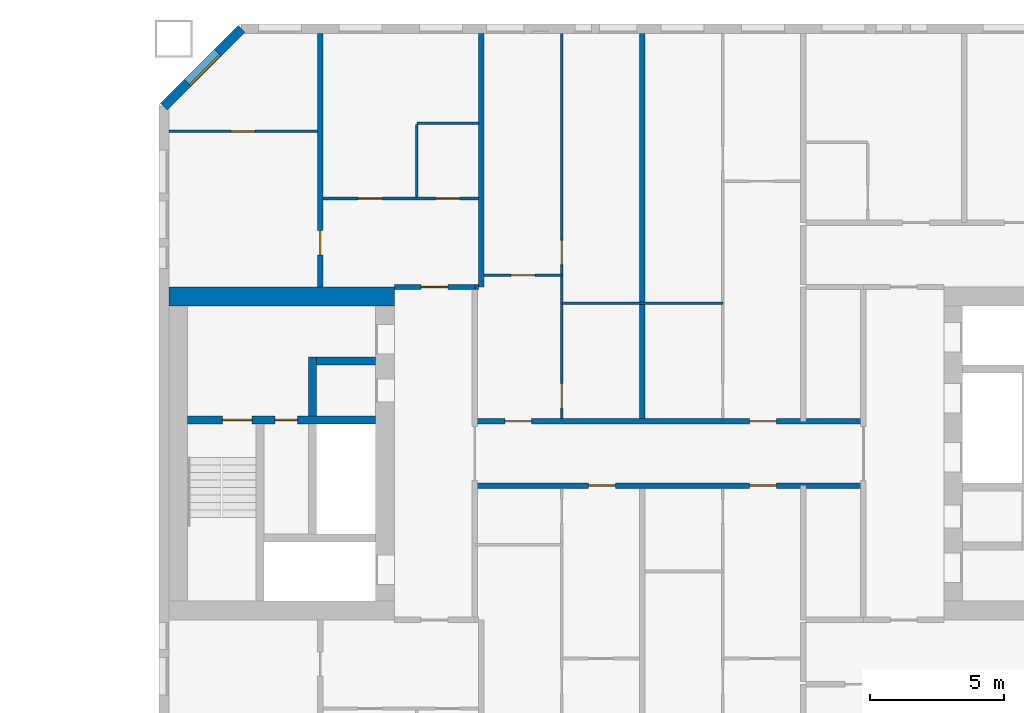
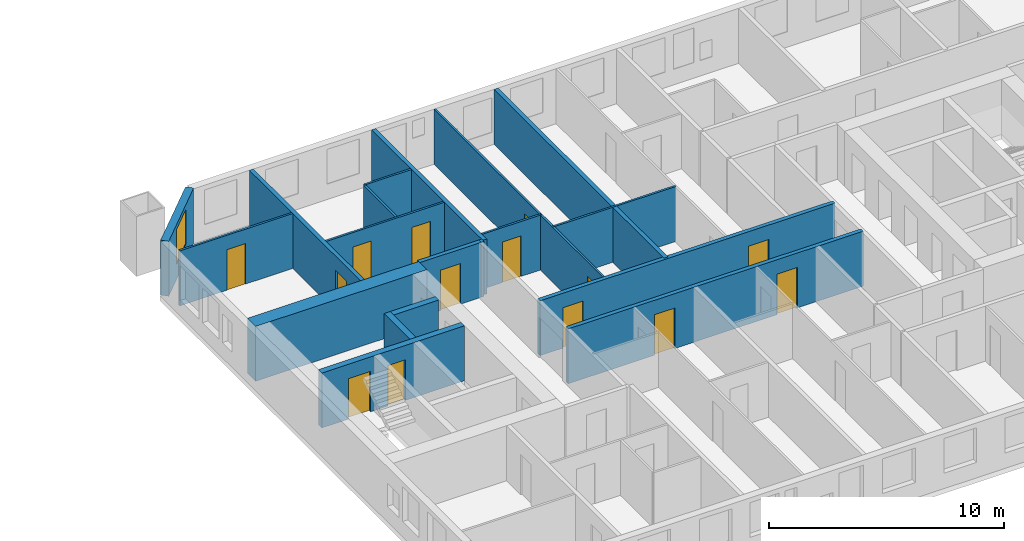
# One storey, part 10 of 17: 19 walls, 14 doors, 1 window, 15 openings.
"""IFC4 building model written with IfcOpenShell, lengths in metres."""

import ifcopenshell
import ifcopenshell.guid

model = None  # the IFC model being written
_history = None  # IfcOwnerHistory: only IFC2X3 demands one
_inside = {}  # id of a spatial element -> (the spatial element, [elements in it])
_under = {}  # id of a project, library or spatial element -> (it, [spatial elements below it])
_declared = {}  # id of a project -> (the project, [libraries it declares])
_typed = {}  # id of a type object -> (the type object, [elements of that type])
_made_of = {}  # id of a material, layer set ... -> (it, [elements and type objects made of it])


def new_model(schema):
    """Start an empty IFC model of exactly this schema.

    Asked for "IFC4X3", IfcOpenShell would pick the latest addendum, in which some entities
    have other attributes; the version numbers below select the first issue.
    IFC2X3 requires an IfcOwnerHistory on every rooted entity: one is made here for all.
    """
    global model, _history
    if schema == "IFC4X3":
        model = ifcopenshell.file(schema_version=(4, 3, 0, 0))
    else:
        model = ifcopenshell.file(schema=schema)
    _inside.clear()
    _under.clear()
    _declared.clear()
    _typed.clear()
    _made_of.clear()
    _history = None
    if model.schema == "IFC2X3":
        org = make("IfcOrganization", Name="unknown")
        user = make(
            "IfcPersonAndOrganization",
            ThePerson=make("IfcPerson", FamilyName="unknown"),
            TheOrganization=org,
        )
        app = make(
            "IfcApplication",
            ApplicationDeveloper=org,
            Version="unknown",
            ApplicationFullName="unknown",
            ApplicationIdentifier="unknown",
        )
        _history = make(
            "IfcOwnerHistory",
            OwningUser=user,
            OwningApplication=app,
            ChangeAction="ADDED",
            CreationDate=0,
        )
    return model


def make(cls, **values):
    """One entity of the class cls with the attributes given. An attribute that is None is left unset."""
    return model.create_entity(
        cls, **{name: value for name, value in values.items() if value is not None}
    )


def rooted(cls, **values):
    """An entity with a GlobalId (a new one), such as an element, a storey or a relation."""
    return make(cls, GlobalId=ifcopenshell.guid.new(), OwnerHistory=_history, **values)


def si_unit(unit_type, name, prefix=None):
    """IfcSIUnit, for example si_unit("LENGTHUNIT", "METRE", prefix="MILLI")."""
    return make("IfcSIUnit", UnitType=unit_type, Prefix=prefix, Name=name)


def assignment(units):
    """IfcUnitAssignment: the units of a project."""
    return None if units is None else make("IfcUnitAssignment", Units=units)


def point(xyz):
    """IfcCartesianPoint."""
    return None if xyz is None else make("IfcCartesianPoint", Coordinates=xyz)


def direction(xyz):
    """IfcDirection."""
    return None if xyz is None else make("IfcDirection", DirectionRatios=xyz)


def frame(location, z_axis=None, x_axis=None):
    """IfcAxis2Placement3D, a coordinate frame: its origin and axes. An axis left out is left unset."""
    return make(
        "IfcAxis2Placement3D",
        Location=point(location),
        Axis=direction(z_axis),
        RefDirection=direction(x_axis),
    )


def frame_2d(location, x_axis=None):
    """IfcAxis2Placement2D, a coordinate frame in the plane: its origin and x axis."""
    return make(
        "IfcAxis2Placement2D", Location=point(location), RefDirection=direction(x_axis)
    )


def origin():
    """The frame at (0, 0, 0) with its axes left unset."""
    return frame((0.0, 0.0, 0.0))


def place(relative_to, where):
    """IfcLocalPlacement: puts the frame where relative to a parent placement (None: the world)."""
    return make(
        "IfcLocalPlacement", PlacementRelTo=relative_to, RelativePlacement=where
    )


def context(
    kind, dimensions, precision=None, world=None, true_north=None, identifier=None
):
    """IfcGeometricRepresentationContext, for example the 3D "Model" context."""
    return make(
        "IfcGeometricRepresentationContext",
        ContextIdentifier=identifier,
        ContextType=kind,
        CoordinateSpaceDimension=dimensions,
        Precision=precision,
        WorldCoordinateSystem=world,
        TrueNorth=true_north,
    )


def subcontext(parent, identifier, kind, view, scale=None):
    """IfcGeometricRepresentationSubContext, for example "Body" below "Model"."""
    return make(
        "IfcGeometricRepresentationSubContext",
        ContextIdentifier=identifier,
        ContextType=kind,
        ParentContext=parent,
        TargetScale=scale,
        TargetView=view,
    )


def project(units=None, contexts=None):
    """IfcProject with its units and contexts."""
    return rooted(
        "IfcProject",
        Name="project",
        RepresentationContexts=contexts,
        UnitsInContext=assignment(units),
    )


def spatial(cls, under=None, at=None, **own):
    """A site, building, storey or space (cls), placed at a placement, below another one or the project."""
    s = rooted(cls, ObjectPlacement=at, **own)
    if under is not None:
        _under.setdefault(under.id(), (under, []))[1].append(s)
    return s


def profile(cls, at=None, kind="AREA", **sizes):
    """A parametric profile (cls). Its sizes go by their IFC names, for example OverallWidth=200.0."""
    return make(cls, ProfileType=kind, Position=at, **sizes)


def rectangle(**sizes):
    """IfcRectangleProfileDef."""
    return profile("IfcRectangleProfileDef", **sizes)


def extrude(swept, where, along, depth):
    """IfcExtrudedAreaSolid: the profile swept, set in the frame where, extruded along a direction by depth."""
    return make(
        "IfcExtrudedAreaSolid",
        SweptArea=swept,
        Position=where,
        ExtrudedDirection=direction(along),
        Depth=depth,
    )


def shape(context_of_items, identifier, shape_type, items):
    """IfcShapeRepresentation: the items that make up one representation, for example the "Body"."""
    return make(
        "IfcShapeRepresentation",
        ContextOfItems=context_of_items,
        RepresentationIdentifier=identifier,
        RepresentationType=shape_type,
        Items=items,
    )


def material(Name=None, Category=None):
    """IfcMaterial."""
    return make("IfcMaterial", Name=Name, Category=Category)


def layer(
    of_material, thickness, ventilated=None, Name=None, Category=None, Priority=None
):
    """IfcMaterialLayer: one layer of a wall or slab, of a material (None: an air gap)."""
    return make(
        "IfcMaterialLayer",
        Material=of_material,
        LayerThickness=thickness,
        IsVentilated=ventilated,
        Name=Name,
        Category=Category,
        Priority=Priority,
    )


def layer_set(layers, Name=None):
    """IfcMaterialLayerSet."""
    return make("IfcMaterialLayerSet", MaterialLayers=layers, LayerSetName=Name)


def made_of(thing, what):
    """Note that an element or type object is made of a material, layer set ...; save() writes the relation."""
    if what is not None:
        _made_of.setdefault(what.id(), (what, []))[1].append(thing)
    return thing


def type_object(cls, material=None, **own):
    """A type object (cls), such as IfcWallType, which elements share."""
    return made_of(rooted(cls, **own), material)


def element(
    cls,
    number,
    at=None,
    inside=None,
    cuts=None,
    type_object=None,
    material=None,
    context=None,
    identifier="Body",
    shape_type=None,
    held_by="IfcProductDefinitionShape",
    body=None,
    shapes=None,
    **own,
):
    """One element of the class cls, such as IfcWall. Its Tag is "e" and its number.

    at: its placement. inside: the storey or other place that contains it. cuts: it is an
    opening in that element (IfcRelVoidsElement). A single representation is given by context,
    identifier, shape_type and body (its items); several are given by shapes. held_by: the class
    of the entity that holds the representations. save() writes the other relations.
    """
    e = rooted(cls, Tag="e%d" % number, ObjectPlacement=at, **own)
    if body is not None:
        shapes = [shape(context, identifier, shape_type, body)]
    if shapes is not None:
        e.Representation = make(held_by, Representations=shapes)
    if inside is not None:
        _inside.setdefault(inside.id(), (inside, []))[1].append(e)
    if cuts is not None:
        rooted(
            "IfcRelVoidsElement", RelatingBuildingElement=cuts, RelatedOpeningElement=e
        )
    if type_object is not None:
        _typed.setdefault(type_object.id(), (type_object, []))[1].append(e)
    return made_of(e, material)


def fill(opening, filler):
    """IfcRelFillsElement: the door or window that sits in an opening."""
    return rooted(
        "IfcRelFillsElement",
        RelatingOpeningElement=opening,
        RelatedBuildingElement=filler,
    )


def aggregate(whole, parts):
    """IfcRelAggregates: a whole, such as a stair, and the parts it consists of."""
    return rooted("IfcRelAggregates", RelatingObject=whole, RelatedObjects=parts)


def save(model, path):
    """Write the relations noted so far, then the file.

    IfcRelAggregates (storeys below a building ...), IfcRelContainedInSpatialStructure (elements
    in a storey), IfcRelDefinesByType, IfcRelAssociatesMaterial and IfcRelDeclares: one each for
    every whole, place, type object, material and project.
    """
    for whole, parts in _under.values():
        aggregate(whole, parts)
    for where, things in _inside.values():
        rooted(
            "IfcRelContainedInSpatialStructure",
            RelatedElements=things,
            RelatingStructure=where,
        )
    for kind, things in _typed.values():
        rooted("IfcRelDefinesByType", RelatedObjects=things, RelatingType=kind)
    for what, things in _made_of.values():
        rooted("IfcRelAssociatesMaterial", RelatedObjects=things, RelatingMaterial=what)
    for by, libraries in _declared.values():
        rooted("IfcRelDeclares", RelatingContext=by, RelatedDefinitions=libraries)
    model.write(path)


model = new_model("IFC4")

# Units and contexts
model_context = context("Model", 3, precision=1e-05, world=origin(), true_north=direction((0.0, 1.0)))
body_context = subcontext(model_context, "Body", "Model", "MODEL_VIEW")
ifc_project = project(units=[si_unit("LENGTHUNIT", "METRE"), si_unit("AREAUNIT", "SQUARE_METRE"), si_unit("VOLUMEUNIT", "CUBIC_METRE"), si_unit("PLANEANGLEUNIT", "RADIAN"), si_unit("MASSUNIT", "GRAM", prefix="KILO")], contexts=[model_context])

# Site, building, storey
site_placement = place(None, origin())
site = spatial("IfcSite", under=ifc_project, at=site_placement, CompositionType="ELEMENT")
building_placement = place(site_placement, origin())
building = spatial("IfcBuilding", under=site, at=building_placement, Name="Tuart Gate Housing", CompositionType="ELEMENT")
storey_placement = place(building_placement, frame((0.0, 0.0, 80.89990234375)))
storey = spatial("IfcBuildingStorey", under=building, at=storey_placement, Name="L22", CompositionType="ELEMENT", Elevation=80.89990234375)

# Wall, opening, window
ifc_material_1 = material(Name="Brick", Category="masonry")
ifc_layer_1 = layer(ifc_material_1, 0.360107421875)
ifc_layer_set_1 = layer_set([ifc_layer_1], Name="Brick pier and spandrel wall 360")
wall_type_1 = type_object("IfcWallType", Name="Brick pier and spandrel wall 360", PredefinedType="STANDARD", material=ifc_layer_set_1)
wall_1_placement = place(storey_placement, frame((134.07470703125, 85.820068359375, 0.0), z_axis=(0.0, 0.0, 1.0), x_axis=(-0.707106781187, -0.707106781187, 0.0)))
wall_1 = element("IfcWall", 1, at=wall_1_placement, inside=storey, type_object=wall_type_1, Name="External wall B-NW L22", PredefinedType="STANDARD", context=body_context, shape_type="SweptSolid", body=[
    extrude(rectangle(XDim=4.09375, YDim=0.360107421875, at=frame_2d((2.046875, 0.0))), origin(), (0.0, 0.0, 1.0), 2.85009765625),
])
opening_1_placement = place(wall_1_placement, frame((1.2470703125, 0.0, 0.800048828125)))
opening_1 = element("IfcOpeningElement", 2, at=opening_1_placement, cuts=wall_1, Name="Opening W1", PredefinedType="OPENING", context=body_context, shape_type="SweptSolid", body=[
    extrude(rectangle(XDim=1.60009765625, YDim=1.800048828125, at=frame_2d((0.800048828125, 0.89990234375))), frame((0.0, 0.18994140625, 0.0), z_axis=(0.0, -1.0, 0.0), x_axis=(1.0, 0.0, 0.0)), (0.0, 0.0, 1.0), 0.380126953125),
])
ifc_material_2 = material(Name="Aluminium frame with clear glass", Category="aluminium")
window_type = type_object("IfcWindowType", Name="Punched window 1600 x 1800", PartitioningType="SINGLE_PANEL", PredefinedType="WINDOW", material=ifc_material_2)
window_placement = place(opening_1_placement, origin())
window = element("IfcWindow", 3, at=window_placement, inside=storey, type_object=window_type, Name="Window W1", OverallHeight=1.800048828125, OverallWidth=1.60009765625, PartitioningType="SINGLE_PANEL", PredefinedType="WINDOW", context=body_context, shape_type="SweptSolid", body=[
    extrude(rectangle(XDim=1.60009765625, YDim=1.800048828125, at=frame_2d((0.800048828125, 0.89990234375))), frame((0.0, 0.150146484375, 0.0), z_axis=(0.0, -1.0, 0.0), x_axis=(1.0, 0.0, 0.0)), (0.0, 0.0, 1.0), 0.06005859375),
])
fill(opening_1, window)

# Wall, openings, doors
ifc_material_3 = material(Name="Concrete C50", Category="concrete")
ifc_layer_2 = layer(ifc_material_3, 0.300048828125)
ifc_layer_set_2 = layer_set([ifc_layer_2], Name="Core wall 300 C50")
wall_type_2 = type_object("IfcWallType", Name="Core wall 300 C50", PredefinedType="SHEAR", material=ifc_layer_set_2)
wall_2_placement = place(storey_placement, frame((139.06005859375, 71.25, 0.0), z_axis=(0.0, 0.0, 1.0), x_axis=(-1.0, 0.0, 0.0)))
wall_2 = element("IfcWall", 4, at=wall_2_placement, inside=storey, type_object=wall_type_2, Name="Core wall BG.2", PredefinedType="SHEAR", context=body_context, shape_type="SweptSolid", body=[
    extrude(rectangle(XDim=7.0, YDim=0.300048828125, at=frame_2d((3.5, 0.0))), origin(), (0.0, 0.0, 1.0), 2.85009765625),
])
opening_2_placement = place(wall_2_placement, frame((4.60009765625, 0.0, 0.0)))
opening_2 = element("IfcOpeningElement", 5, at=opening_2_placement, cuts=wall_2, Name="Opening D1032", PredefinedType="OPENING", context=body_context, shape_type="SweptSolid", body=[
    extrude(rectangle(XDim=1.10009765625, YDim=2.10009765625, at=frame_2d((0.550048828125, 1.050048828125))), frame((0.0, 0.159912109375, 0.0), z_axis=(0.0, -1.0, 0.0), x_axis=(1.0, 0.0, 0.0)), (0.0, 0.0, 1.0), 0.320068359375),
])
opening_3_placement = place(wall_2_placement, frame((2.89990234375, 0.0, 0.0)))
opening_3 = element("IfcOpeningElement", 6, at=opening_3_placement, cuts=wall_2, Name="Opening D1031", PredefinedType="OPENING", context=body_context, shape_type="SweptSolid", body=[
    extrude(rectangle(XDim=0.85009765625, YDim=2.10009765625, at=frame_2d((0.425048828125, 1.050048828125))), frame((0.0, 0.159912109375, 0.0), z_axis=(0.0, -1.0, 0.0), x_axis=(1.0, 0.0, 0.0)), (0.0, 0.0, 1.0), 0.320068359375),
])
ifc_material_4 = material(Name="Steel fire door", Category="steel")
door_type_1 = type_object("IfcDoorType", Name="Riser door 850 x 2100", OperationType="SINGLE_SWING_LEFT", PredefinedType="DOOR", material=ifc_material_4)
door_1_placement = place(opening_3_placement, origin())
door_1 = element("IfcDoor", 7, at=door_1_placement, inside=storey, type_object=door_type_1, Name="Service room door BG.W1", OperationType="SINGLE_SWING_LEFT", OverallHeight=2.10009765625, OverallWidth=0.85009765625, PredefinedType="DOOR", context=body_context, shape_type="SweptSolid", body=[
    extrude(rectangle(XDim=0.85009765625, YDim=2.10009765625, at=frame_2d((0.425048828125, 1.050048828125))), frame((0.0, 0.02490234375, 0.0), z_axis=(0.0, -1.0, 0.0), x_axis=(1.0, 0.0, 0.0)), (0.0, 0.0, 1.0), 0.050048828125),
])
fill(opening_3, door_1)
ifc_material_5 = material(Name="Steel fire door", Category="steel")
door_type_2 = type_object("IfcDoorType", Name="Stair door 1100 x 2100", OperationType="SINGLE_SWING_LEFT", PredefinedType="DOOR", material=ifc_material_5)
door_2_placement = place(opening_2_placement, origin())
door_2 = element("IfcDoor", 8, at=door_2_placement, inside=storey, type_object=door_type_2, Name="Stair door BG.SD", OperationType="SINGLE_SWING_LEFT", OverallHeight=2.10009765625, OverallWidth=1.10009765625, PredefinedType="DOOR", context=body_context, shape_type="SweptSolid", body=[
    extrude(rectangle(XDim=1.10009765625, YDim=2.10009765625, at=frame_2d((0.550048828125, 1.050048828125))), frame((0.0, 0.02490234375, 0.0), z_axis=(0.0, -1.0, 0.0), x_axis=(1.0, 0.0, 0.0)), (0.0, 0.0, 1.0), 0.050048828125),
])
fill(opening_2, door_2)

# Walls
wall_3_placement = place(storey_placement, frame((139.06005859375, 73.449951171875, 0.0), z_axis=(0.0, 0.0, 1.0), x_axis=(-1.0, 0.0, 0.0)))
element("IfcWall", 9, at=wall_3_placement, inside=storey, type_object=wall_type_2, Name="Core wall BG.3", PredefinedType="SHEAR", context=body_context, shape_type="SweptSolid", body=[
    extrude(rectangle(XDim=2.199951171875, YDim=0.300048828125, at=frame_2d((1.10009765625, 0.0))), origin(), (0.0, 0.0, 1.0), 2.85009765625),
])
wall_4_placement = place(storey_placement, frame((136.7099609375, 71.39990234375, 0.0), z_axis=(0.0, 0.0, 1.0), x_axis=(0.0, 1.0, 0.0)))
element("IfcWall", 10, at=wall_4_placement, inside=storey, type_object=wall_type_2, Name="Core wall BG.5", PredefinedType="SHEAR", context=body_context, shape_type="SweptSolid", body=[
    extrude(rectangle(XDim=2.2001953125, YDim=0.300048828125, at=frame_2d((1.10009765625, 0.0))), origin(), (0.0, 0.0, 1.0), 2.85009765625),
])
ifc_material_6 = material(Name="Concrete C50", Category="concrete")
ifc_layer_3 = layer(ifc_material_6, 0.699951171875)
ifc_layer_set_3 = layer_set([ifc_layer_3], Name="Core wall 700 C50")
wall_type_3 = type_object("IfcWallType", Name="Core wall 700 C50", PredefinedType="SHEAR", material=ifc_layer_set_3)
wall_5_placement = place(storey_placement, frame((139.760009765625, 75.85009765625, 0.0), z_axis=(0.0, 0.0, 1.0), x_axis=(-1.0, 0.0, 0.0)))
element("IfcWall", 11, at=wall_5_placement, inside=storey, type_object=wall_type_3, Name="Core wall BG north", PredefinedType="SHEAR", context=body_context, shape_type="SweptSolid", body=[
    extrude(rectangle(XDim=8.39990234375, YDim=0.699951171875, at=frame_2d((4.199951171875, 0.0))), origin(), (0.0, 0.0, 1.0), 2.85009765625),
])

# Wall, openings, doors
ifc_material_7 = material(Name="Concrete masonry 15 MPa", Category="masonry")
ifc_layer_4 = layer(ifc_material_7, 0.199951171875)
ifc_layer_set_4 = layer_set([ifc_layer_4], Name="Corridor wall masonry 200")
wall_type_4 = type_object("IfcWallType", Name="Corridor wall masonry 200", PredefinedType="PARTITIONING", material=ifc_layer_set_4)
wall_6_placement = place(storey_placement, frame((142.760009765625, 68.800048828125, 0.0), z_axis=(0.0, 0.0, 1.0), x_axis=(1.0, 0.0, 0.0)))
wall_6 = element("IfcWall", 12, at=wall_6_placement, inside=storey, type_object=wall_type_4, Name="Corridor wall masonry 200", PredefinedType="PARTITIONING", context=body_context, shape_type="SweptSolid", body=[
    extrude(rectangle(XDim=14.47998046875, YDim=0.199951171875, at=frame_2d((7.239990234375, 0.0))), origin(), (0.0, 0.0, 1.0), 2.85009765625),
])
opening_4_placement = place(wall_6_placement, frame((4.239990234375, 0.0, 0.0)))
opening_4 = element("IfcOpeningElement", 13, at=opening_4_placement, cuts=wall_6, Name="Opening D1043", PredefinedType="OPENING", context=body_context, shape_type="SweptSolid", body=[
    extrude(rectangle(XDim=1.0, YDim=2.10009765625, at=frame_2d((0.5, 1.050048828125))), frame((0.0, 0.10986328125, 0.0), z_axis=(0.0, -1.0, 0.0), x_axis=(1.0, 0.0, 0.0)), (0.0, 0.0, 1.0), 0.219970703125),
])
opening_5_placement = place(wall_6_placement, frame((10.239990234375, 0.0, 0.0)))
opening_5 = element("IfcOpeningElement", 14, at=opening_5_placement, cuts=wall_6, Name="Opening D1044", PredefinedType="OPENING", context=body_context, shape_type="SweptSolid", body=[
    extrude(rectangle(XDim=1.0, YDim=2.10009765625, at=frame_2d((0.5, 1.050048828125))), frame((0.0, 0.10986328125, 0.0), z_axis=(0.0, -1.0, 0.0), x_axis=(1.0, 0.0, 0.0)), (0.0, 0.0, 1.0), 0.219970703125),
])
ifc_material_8 = material(Name="Timber door leaf in steel frame", Category="steel")
door_type_3 = type_object("IfcDoorType", Name="Flat entrance door 1000 RH", OperationType="SINGLE_SWING_RIGHT", PredefinedType="DOOR", material=ifc_material_8)
door_3_placement = place(opening_4_placement, frame((1.0, 0.0, 0.0), z_axis=(0.0, 0.0, 1.0), x_axis=(-1.0, 0.0, 0.0)))
door_3 = element("IfcDoor", 15, at=door_3_placement, inside=storey, type_object=door_type_3, Name="Flat entrance door", OperationType="SINGLE_SWING_RIGHT", OverallHeight=2.10009765625, OverallWidth=1.0, PredefinedType="DOOR", context=body_context, shape_type="SweptSolid", body=[
    extrude(rectangle(XDim=1.0, YDim=2.10009765625, at=frame_2d((0.5, 1.050048828125))), frame((0.0, 0.025146484375, 0.0), z_axis=(0.0, -1.0, 0.0), x_axis=(1.0, 0.0, 0.0)), (0.0, 0.0, 1.0), 0.050048828125),
])
fill(opening_4, door_3)
door_4_placement = place(opening_5_placement, frame((1.0, 0.0, 0.0), z_axis=(0.0, 0.0, 1.0), x_axis=(-1.0, 0.0, 0.0)))
door_4 = element("IfcDoor", 16, at=door_4_placement, inside=storey, type_object=door_type_3, Name="Flat entrance door", OperationType="SINGLE_SWING_RIGHT", OverallHeight=2.10009765625, OverallWidth=1.0, PredefinedType="DOOR", context=body_context, shape_type="SweptSolid", body=[
    extrude(rectangle(XDim=1.0, YDim=2.10009765625, at=frame_2d((0.5, 1.050048828125))), frame((0.0, 0.025146484375, 0.0), z_axis=(0.0, -1.0, 0.0), x_axis=(1.0, 0.0, 0.0)), (0.0, 0.0, 1.0), 0.050048828125),
])
fill(opening_5, door_4)

wall_7_placement = place(storey_placement, frame((142.760009765625, 71.199951171875, 0.0), z_axis=(0.0, 0.0, 1.0), x_axis=(1.0, 0.0, 0.0)))
wall_7 = element("IfcWall", 17, at=wall_7_placement, inside=storey, type_object=wall_type_4, Name="Corridor wall masonry 200", PredefinedType="PARTITIONING", context=body_context, shape_type="SweptSolid", body=[
    extrude(rectangle(XDim=14.47998046875, YDim=0.199951171875, at=frame_2d((7.239990234375, 0.0))), origin(), (0.0, 0.0, 1.0), 2.85009765625),
])
opening_6_placement = place(wall_7_placement, frame((1.1201171875, 0.0, 0.0)))
opening_6 = element("IfcOpeningElement", 18, at=opening_6_placement, cuts=wall_7, Name="Opening D1033", PredefinedType="OPENING", context=body_context, shape_type="SweptSolid", body=[
    extrude(rectangle(XDim=1.0, YDim=2.10009765625, at=frame_2d((0.5, 1.050048828125))), frame((0.0, 0.10986328125, 0.0), z_axis=(0.0, -1.0, 0.0), x_axis=(1.0, 0.0, 0.0)), (0.0, 0.0, 1.0), 0.219970703125),
])
opening_7_placement = place(wall_7_placement, frame((10.239990234375, 0.0, 0.0)))
opening_7 = element("IfcOpeningElement", 19, at=opening_7_placement, cuts=wall_7, Name="Opening D1034", PredefinedType="OPENING", context=body_context, shape_type="SweptSolid", body=[
    extrude(rectangle(XDim=1.0, YDim=2.10009765625, at=frame_2d((0.5, 1.050048828125))), frame((0.0, 0.10986328125, 0.0), z_axis=(0.0, -1.0, 0.0), x_axis=(1.0, 0.0, 0.0)), (0.0, 0.0, 1.0), 0.219970703125),
])
ifc_material_9 = material(Name="Timber door leaf in steel frame", Category="steel")
door_type_4 = type_object("IfcDoorType", Name="Flat entrance door 1000", OperationType="SINGLE_SWING_LEFT", PredefinedType="DOOR", material=ifc_material_9)
door_5_placement = place(opening_6_placement, origin())
door_5 = element("IfcDoor", 20, at=door_5_placement, inside=storey, type_object=door_type_4, Name="Flat entrance door", OperationType="SINGLE_SWING_LEFT", OverallHeight=2.10009765625, OverallWidth=1.0, PredefinedType="DOOR", context=body_context, shape_type="SweptSolid", body=[
    extrude(rectangle(XDim=1.0, YDim=2.10009765625, at=frame_2d((0.5, 1.050048828125))), frame((0.0, 0.02490234375, 0.0), z_axis=(0.0, -1.0, 0.0), x_axis=(1.0, 0.0, 0.0)), (0.0, 0.0, 1.0), 0.050048828125),
])
fill(opening_6, door_5)
door_6_placement = place(opening_7_placement, origin())
door_6 = element("IfcDoor", 21, at=door_6_placement, inside=storey, type_object=door_type_4, Name="Flat entrance door", OperationType="SINGLE_SWING_LEFT", OverallHeight=2.10009765625, OverallWidth=1.0, PredefinedType="DOOR", context=body_context, shape_type="SweptSolid", body=[
    extrude(rectangle(XDim=1.0, YDim=2.10009765625, at=frame_2d((0.5, 1.050048828125))), frame((0.0, 0.02490234375, 0.0), z_axis=(0.0, -1.0, 0.0), x_axis=(1.0, 0.0, 0.0)), (0.0, 0.0, 1.0), 0.050048828125),
])
fill(opening_7, door_6)

# Wall, opening, door
ifc_material_10 = material(Name="Concrete masonry 15 MPa", Category="masonry")
ifc_layer_5 = layer(ifc_material_10, 0.199951171875)
ifc_layer_set_5 = layer_set([ifc_layer_5], Name="Enclosure wall masonry 200")
wall_type_5 = type_object("IfcWallType", Name="Enclosure wall masonry 200", PredefinedType="PARTITIONING", material=ifc_layer_set_5)
wall_8_placement = place(storey_placement, frame((139.760009765625, 76.199951171875, 0.0), z_axis=(0.0, 0.0, 1.0), x_axis=(1.0, 0.0, 0.0)))
wall_8 = element("IfcWall", 22, at=wall_8_placement, inside=storey, type_object=wall_type_5, Name="Enclosure wall masonry 200", PredefinedType="PARTITIONING", context=body_context, shape_type="SweptSolid", body=[
    extrude(rectangle(XDim=3.0, YDim=0.199951171875, at=frame_2d((1.5, 0.0))), origin(), (0.0, 0.0, 1.0), 2.85009765625),
])
opening_8_placement = place(wall_8_placement, frame((1.0, 0.0, 0.0)))
opening_8 = element("IfcOpeningElement", 23, at=opening_8_placement, cuts=wall_8, Name="Opening D1029", PredefinedType="OPENING", context=body_context, shape_type="SweptSolid", body=[
    extrude(rectangle(XDim=1.0, YDim=2.10009765625, at=frame_2d((0.5, 1.050048828125))), frame((0.0, 0.10986328125, 0.0), z_axis=(0.0, -1.0, 0.0), x_axis=(1.0, 0.0, 0.0)), (0.0, 0.0, 1.0), 0.219970703125),
])
door_7_placement = place(opening_8_placement, origin())
door_7 = element("IfcDoor", 24, at=door_7_placement, inside=storey, type_object=door_type_3, Name="Flat entrance door", OperationType="SINGLE_SWING_RIGHT", OverallHeight=2.10009765625, OverallWidth=1.0, PredefinedType="DOOR", context=body_context, shape_type="SweptSolid", body=[
    extrude(rectangle(XDim=1.0, YDim=2.10009765625, at=frame_2d((0.5, 1.050048828125))), frame((0.0, 0.02490234375, 0.0), z_axis=(0.0, -1.0, 0.0), x_axis=(1.0, 0.0, 0.0)), (0.0, 0.0, 1.0), 0.050048828125),
])
fill(opening_8, door_7)

# Wall
ifc_material_11 = material(Name="Gypsum board on steel studs", Category="steel")
ifc_layer_6 = layer(ifc_material_11, 0.10009765625)
ifc_layer_set_6 = layer_set([ifc_layer_6], Name="Partition 100")
wall_type_6 = type_object("IfcWallType", Name="Partition 100", PredefinedType="PARTITIONING", material=ifc_layer_set_6)
wall_9_placement = place(storey_placement, frame((146.0, 75.60009765625, 0.0), z_axis=(0.0, 0.0, 1.0), x_axis=(1.0, 0.0, 0.0)))
element("IfcWall", 25, at=wall_9_placement, inside=storey, type_object=wall_type_6, Name="Partition 100", PredefinedType="PARTITIONING", context=body_context, shape_type="SweptSolid", body=[
    extrude(rectangle(XDim=6.0, YDim=0.10009765625, at=frame_2d((3.0, 0.0))), origin(), (0.0, 0.0, 1.0), 2.85009765625),
])

# Wall, opening, door
wall_10_placement = place(storey_placement, frame((143.10009765625, 76.639892578125, 0.0), z_axis=(0.0, 0.0, 1.0), x_axis=(1.0, 0.0, 0.0)))
wall_10 = element("IfcWall", 26, at=wall_10_placement, inside=storey, type_object=wall_type_6, Name="Partition 100", PredefinedType="PARTITIONING", context=body_context, shape_type="SweptSolid", body=[
    extrude(rectangle(XDim=2.89990234375, YDim=0.10009765625, at=frame_2d((1.449951171875, 0.0))), origin(), (0.0, 0.0, 1.0), 2.85009765625),
])
opening_9_placement = place(wall_10_placement, frame((1.0, 0.0, 0.0)))
opening_9 = element("IfcOpeningElement", 27, at=opening_9_placement, cuts=wall_10, Name="Opening D1028", PredefinedType="OPENING", context=body_context, shape_type="SweptSolid", body=[
    extrude(rectangle(XDim=0.89990234375, YDim=2.10009765625, at=frame_2d((0.449951171875, 1.050048828125))), frame((0.0, 0.06005859375, 0.0), z_axis=(0.0, -1.0, 0.0), x_axis=(1.0, 0.0, 0.0)), (0.0, 0.0, 1.0), 0.1201171875),
])
ifc_material_12 = material(Name="Timber door leaf in steel frame", Category="steel")
door_type_5 = type_object("IfcDoorType", Name="Internal door 900", OperationType="SINGLE_SWING_LEFT", PredefinedType="DOOR", material=ifc_material_12)
door_8_placement = place(opening_9_placement, frame((0.89990234375, 0.0, 0.0), z_axis=(0.0, 0.0, 1.0), x_axis=(-1.0, 0.0, 0.0)))
door_8 = element("IfcDoor", 28, at=door_8_placement, inside=storey, type_object=door_type_5, Name="Internal door", OperationType="SINGLE_SWING_LEFT", OverallHeight=2.10009765625, OverallWidth=0.89990234375, PredefinedType="DOOR", context=body_context, shape_type="SweptSolid", body=[
    extrude(rectangle(XDim=0.89990234375, YDim=2.10009765625, at=frame_2d((0.449951171875, 1.050048828125))), frame((0.0, 0.025146484375, 0.0), z_axis=(0.0, -1.0, 0.0), x_axis=(1.0, 0.0, 0.0)), (0.0, 0.0, 1.0), 0.050048828125),
])
fill(opening_9, door_8)

# Wall, openings, doors
wall_11_placement = place(storey_placement, frame((137.10009765625, 79.5, 0.0), z_axis=(0.0, 0.0, 1.0), x_axis=(1.0, 0.0, 0.0)))
wall_11 = element("IfcWall", 29, at=wall_11_placement, inside=storey, type_object=wall_type_6, Name="Partition 100", PredefinedType="PARTITIONING", context=body_context, shape_type="SweptSolid", body=[
    extrude(rectangle(XDim=5.7998046875, YDim=0.10009765625, at=frame_2d((2.89990234375, 0.0))), origin(), (0.0, 0.0, 1.0), 2.85009765625),
])
opening_10_placement = place(wall_11_placement, frame((1.300048828125, 0.0, 0.0)))
opening_10 = element("IfcOpeningElement", 30, at=opening_10_placement, cuts=wall_11, Name="Opening D1020", PredefinedType="OPENING", context=body_context, shape_type="SweptSolid", body=[
    extrude(rectangle(XDim=0.89990234375, YDim=2.10009765625, at=frame_2d((0.449951171875, 1.050048828125))), frame((0.0, 0.06005859375, 0.0), z_axis=(0.0, -1.0, 0.0), x_axis=(1.0, 0.0, 0.0)), (0.0, 0.0, 1.0), 0.1201171875),
])
opening_11_placement = place(wall_11_placement, frame((4.199951171875, 0.0, 0.0)))
opening_11 = element("IfcOpeningElement", 31, at=opening_11_placement, cuts=wall_11, Name="Opening D1019", PredefinedType="OPENING", context=body_context, shape_type="SweptSolid", body=[
    extrude(rectangle(XDim=0.89990234375, YDim=2.10009765625, at=frame_2d((0.449951171875, 1.050048828125))), frame((0.0, 0.06005859375, 0.0), z_axis=(0.0, -1.0, 0.0), x_axis=(1.0, 0.0, 0.0)), (0.0, 0.0, 1.0), 0.1201171875),
])
ifc_material_13 = material(Name="Timber door leaf in steel frame", Category="steel")
door_type_6 = type_object("IfcDoorType", Name="Bathroom door 900", OperationType="SINGLE_SWING_LEFT", PredefinedType="DOOR", material=ifc_material_13)
door_9_placement = place(opening_11_placement, origin())
door_9 = element("IfcDoor", 32, at=door_9_placement, inside=storey, type_object=door_type_6, Name="Bathroom door", OperationType="SINGLE_SWING_LEFT", OverallHeight=2.10009765625, OverallWidth=0.89990234375, PredefinedType="DOOR", context=body_context, shape_type="SweptSolid", body=[
    extrude(rectangle(XDim=0.89990234375, YDim=2.10009765625, at=frame_2d((0.449951171875, 1.050048828125))), frame((0.0, 0.02490234375, 0.0), z_axis=(0.0, -1.0, 0.0), x_axis=(1.0, 0.0, 0.0)), (0.0, 0.0, 1.0), 0.050048828125),
])
fill(opening_11, door_9)
ifc_material_14 = material(Name="Timber door leaf in steel frame", Category="steel")
door_type_7 = type_object("IfcDoorType", Name="Internal door 900 RH", OperationType="SINGLE_SWING_RIGHT", PredefinedType="DOOR", material=ifc_material_14)
door_10_placement = place(opening_10_placement, origin())
door_10 = element("IfcDoor", 33, at=door_10_placement, inside=storey, type_object=door_type_7, Name="Internal door", OperationType="SINGLE_SWING_RIGHT", OverallHeight=2.10009765625, OverallWidth=0.89990234375, PredefinedType="DOOR", context=body_context, shape_type="SweptSolid", body=[
    extrude(rectangle(XDim=0.89990234375, YDim=2.10009765625, at=frame_2d((0.449951171875, 1.050048828125))), frame((0.0, 0.02490234375, 0.0), z_axis=(0.0, -1.0, 0.0), x_axis=(1.0, 0.0, 0.0)), (0.0, 0.0, 1.0), 0.050048828125),
])
fill(opening_10, door_10)

# Wall, opening, door
wall_12_placement = place(storey_placement, frame((131.360107421875, 82.0, 0.0), z_axis=(0.0, 0.0, 1.0), x_axis=(1.0, 0.0, 0.0)))
wall_12 = element("IfcWall", 34, at=wall_12_placement, inside=storey, type_object=wall_type_6, Name="Partition 100", PredefinedType="PARTITIONING", context=body_context, shape_type="SweptSolid", body=[
    extrude(rectangle(XDim=5.539794921875, YDim=0.10009765625, at=frame_2d((2.77001953125, 0.0))), origin(), (0.0, 0.0, 1.0), 2.85009765625),
])
opening_12_placement = place(wall_12_placement, frame((2.320068359375, 0.0, 0.0)))
opening_12 = element("IfcOpeningElement", 35, at=opening_12_placement, cuts=wall_12, Name="Opening D1013", PredefinedType="OPENING", context=body_context, shape_type="SweptSolid", body=[
    extrude(rectangle(XDim=0.89990234375, YDim=2.10009765625, at=frame_2d((0.449951171875, 1.050048828125))), frame((0.0, 0.06005859375, 0.0), z_axis=(0.0, -1.0, 0.0), x_axis=(1.0, 0.0, 0.0)), (0.0, 0.0, 1.0), 0.1201171875),
])
door_11_placement = place(opening_12_placement, origin())
door_11 = element("IfcDoor", 36, at=door_11_placement, inside=storey, type_object=door_type_5, Name="Internal door", OperationType="SINGLE_SWING_LEFT", OverallHeight=2.10009765625, OverallWidth=0.89990234375, PredefinedType="DOOR", context=body_context, shape_type="SweptSolid", body=[
    extrude(rectangle(XDim=0.89990234375, YDim=2.10009765625, at=frame_2d((0.449951171875, 1.050048828125))), frame((0.0, 0.02490234375, 0.0), z_axis=(0.0, -1.0, 0.0), x_axis=(1.0, 0.0, 0.0)), (0.0, 0.0, 1.0), 0.050048828125),
])
fill(opening_12, door_11)

# Walls
wall_13_placement = place(storey_placement, frame((140.60009765625, 82.300048828125, 0.0), z_axis=(0.0, 0.0, 1.0), x_axis=(1.0, 0.0, 0.0)))
element("IfcWall", 37, at=wall_13_placement, inside=storey, type_object=wall_type_6, Name="Partition 100", PredefinedType="PARTITIONING", context=body_context, shape_type="SweptSolid", body=[
    extrude(rectangle(XDim=2.2998046875, YDim=0.10009765625, at=frame_2d((1.14990234375, 0.0))), origin(), (0.0, 0.0, 1.0), 2.85009765625),
])
wall_14_placement = place(storey_placement, frame((140.60009765625, 79.550048828125, 0.0), z_axis=(0.0, 0.0, 1.0), x_axis=(0.0, 1.0, 0.0)))
element("IfcWall", 38, at=wall_14_placement, inside=storey, type_object=wall_type_6, Name="Partition 100", PredefinedType="PARTITIONING", context=body_context, shape_type="SweptSolid", body=[
    extrude(rectangle(XDim=2.699951171875, YDim=0.10009765625, at=frame_2d((1.35009765625, 0.0))), origin(), (0.0, 0.0, 1.0), 2.85009765625),
])

# Wall, openings, doors
wall_15_placement = place(storey_placement, frame((146.0, 71.300048828125, 0.0), z_axis=(0.0, 0.0, 1.0), x_axis=(0.0, 1.0, 0.0)))
wall_15 = element("IfcWall", 39, at=wall_15_placement, inside=storey, type_object=wall_type_6, Name="Partition 100", PredefinedType="PARTITIONING", context=body_context, shape_type="SweptSolid", body=[
    extrude(rectangle(XDim=14.33984375, YDim=0.10009765625, at=frame_2d((7.169921875, 0.0))), origin(), (0.0, 0.0, 1.0), 2.85009765625),
])
opening_13_placement = place(wall_15_placement, frame((5.739990234375, 0.0, 0.0)))
opening_13 = element("IfcOpeningElement", 40, at=opening_13_placement, cuts=wall_15, Name="Opening D1025", PredefinedType="OPENING", context=body_context, shape_type="SweptSolid", body=[
    extrude(rectangle(XDim=0.89990234375, YDim=2.10009765625, at=frame_2d((0.449951171875, 1.050048828125))), frame((0.0, 0.06005859375, 0.0), z_axis=(0.0, -1.0, 0.0), x_axis=(1.0, 0.0, 0.0)), (0.0, 0.0, 1.0), 0.1201171875),
])
opening_14_placement = place(wall_15_placement, frame((0.39990234375, 0.0, 0.0)))
opening_14 = element("IfcOpeningElement", 41, at=opening_14_placement, cuts=wall_15, Name="Opening D1024", PredefinedType="OPENING", context=body_context, shape_type="SweptSolid", body=[
    extrude(rectangle(XDim=0.89990234375, YDim=2.10009765625, at=frame_2d((0.449951171875, 1.050048828125))), frame((0.0, 0.06005859375, 0.0), z_axis=(0.0, -1.0, 0.0), x_axis=(1.0, 0.0, 0.0)), (0.0, 0.0, 1.0), 0.1201171875),
])
ifc_material_15 = material(Name="Timber door leaf in steel frame", Category="steel")
door_type_8 = type_object("IfcDoorType", Name="Bathroom door 900 RH", OperationType="SINGLE_SWING_RIGHT", PredefinedType="DOOR", material=ifc_material_15)
door_12_placement = place(opening_14_placement, frame((0.89990234375, 0.0, 0.0), z_axis=(0.0, 0.0, 1.0), x_axis=(-1.0, 0.0, 0.0)))
door_12 = element("IfcDoor", 42, at=door_12_placement, inside=storey, type_object=door_type_8, Name="Bathroom door", OperationType="SINGLE_SWING_RIGHT", OverallHeight=2.10009765625, OverallWidth=0.89990234375, PredefinedType="DOOR", context=body_context, shape_type="SweptSolid", body=[
    extrude(rectangle(XDim=0.89990234375, YDim=2.10009765625, at=frame_2d((0.449951171875, 1.050048828125))), frame((0.0, 0.025146484375, 0.0), z_axis=(0.0, -1.0, 0.0), x_axis=(1.0, 0.0, 0.0)), (0.0, 0.0, 1.0), 0.050048828125),
])
fill(opening_14, door_12)
door_13_placement = place(opening_13_placement, frame((0.89990234375, 0.0, 0.0), z_axis=(0.0, 0.0, 1.0), x_axis=(-1.0, 0.0, 0.0)))
door_13 = element("IfcDoor", 43, at=door_13_placement, inside=storey, type_object=door_type_7, Name="Internal door", OperationType="SINGLE_SWING_RIGHT", OverallHeight=2.10009765625, OverallWidth=0.89990234375, PredefinedType="DOOR", context=body_context, shape_type="SweptSolid", body=[
    extrude(rectangle(XDim=0.89990234375, YDim=2.10009765625, at=frame_2d((0.449951171875, 1.050048828125))), frame((0.0, 0.025146484375, 0.0), z_axis=(0.0, -1.0, 0.0), x_axis=(1.0, 0.0, 0.0)), (0.0, 0.0, 1.0), 0.050048828125),
])
fill(opening_13, door_13)

# Wall, opening, door
ifc_material_16 = material(Name="Concrete C40", Category="concrete")
ifc_layer_7 = layer(ifc_material_16, 0.199951171875)
ifc_layer_set_7 = layer_set([ifc_layer_7], Name="Party wall concrete C40 200")
wall_type_7 = type_object("IfcWallType", Name="Party wall concrete C40 200", PredefinedType="SOLIDWALL", material=ifc_layer_set_7)
wall_16_placement = place(storey_placement, frame((137.0, 76.199951171875, 0.0), z_axis=(0.0, 0.0, 1.0), x_axis=(0.0, 1.0, 0.0)))
wall_16 = element("IfcWall", 44, at=wall_16_placement, inside=storey, type_object=wall_type_7, Name="Party wall concrete C40 200", PredefinedType="SOLIDWALL", context=body_context, shape_type="SweptSolid", body=[
    extrude(rectangle(XDim=9.43994140625, YDim=0.199951171875, at=frame_2d((4.719970703125, 0.0))), origin(), (0.0, 0.0, 1.0), 2.85009765625),
])
opening_15_placement = place(wall_16_placement, frame((1.199951171875, 0.0, 0.0)))
opening_15 = element("IfcOpeningElement", 45, at=opening_15_placement, cuts=wall_16, Name="Opening D1014", PredefinedType="OPENING", context=body_context, shape_type="SweptSolid", body=[
    extrude(rectangle(XDim=0.89990234375, YDim=2.10009765625, at=frame_2d((0.449951171875, 1.050048828125))), frame((0.0, 0.10986328125, 0.0), z_axis=(0.0, -1.0, 0.0), x_axis=(1.0, 0.0, 0.0)), (0.0, 0.0, 1.0), 0.219970703125),
])
door_14_placement = place(opening_15_placement, frame((0.89990234375, 0.0, 0.0), z_axis=(0.0, 0.0, 1.0), x_axis=(-1.0, 0.0, 0.0)))
door_14 = element("IfcDoor", 46, at=door_14_placement, inside=storey, type_object=door_type_7, Name="Internal door", OperationType="SINGLE_SWING_RIGHT", OverallHeight=2.10009765625, OverallWidth=0.89990234375, PredefinedType="DOOR", context=body_context, shape_type="SweptSolid", body=[
    extrude(rectangle(XDim=0.89990234375, YDim=2.10009765625, at=frame_2d((0.449951171875, 1.050048828125))), frame((0.0, 0.025146484375, 0.0), z_axis=(0.0, -1.0, 0.0), x_axis=(1.0, 0.0, 0.0)), (0.0, 0.0, 1.0), 0.050048828125),
])
fill(opening_15, door_14)

# Walls
wall_17_placement = place(storey_placement, frame((143.0, 76.199951171875, 0.0), z_axis=(0.0, 0.0, 1.0), x_axis=(0.0, 1.0, 0.0)))
element("IfcWall", 47, at=wall_17_placement, inside=storey, type_object=wall_type_7, Name="Party wall concrete C40 200", PredefinedType="SOLIDWALL", context=body_context, shape_type="SweptSolid", body=[
    extrude(rectangle(XDim=9.43994140625, YDim=0.199951171875, at=frame_2d((4.719970703125, 0.0))), origin(), (0.0, 0.0, 1.0), 2.85009765625),
])
wall_18_placement = place(storey_placement, frame((149.0, 71.199951171875, 0.0), z_axis=(0.0, 0.0, 1.0), x_axis=(0.0, 1.0, 0.0)))
element("IfcWall", 48, at=wall_18_placement, inside=storey, type_object=wall_type_7, Name="Party wall concrete C40 200", PredefinedType="SOLIDWALL", context=body_context, shape_type="SweptSolid", body=[
    extrude(rectangle(XDim=14.43994140625, YDim=0.199951171875, at=frame_2d((7.219970703125, 0.0))), origin(), (0.0, 0.0, 1.0), 2.85009765625),
])
ifc_material_17 = material(Name="Concrete masonry 15 MPa", Category="masonry")
ifc_layer_8 = layer(ifc_material_17, 0.199951171875)
ifc_layer_set_8 = layer_set([ifc_layer_8], Name="Party wall masonry 200")
wall_type_8 = type_object("IfcWallType", Name="Party wall masonry 200", PredefinedType="PARTITIONING", material=ifc_layer_set_8)
wall_19_placement = place(storey_placement, frame((142.760009765625, 76.199951171875, 0.0), z_axis=(0.0, 0.0, 1.0), x_axis=(1.0, 0.0, 0.0)))
element("IfcWall", 49, at=wall_19_placement, inside=storey, type_object=wall_type_8, Name="Party wall masonry 200", PredefinedType="PARTITIONING", context=body_context, shape_type="SweptSolid", body=[
    extrude(rectangle(XDim=0.139892578125, YDim=0.199951171875, at=frame_2d((0.06982421875, 0.0))), origin(), (0.0, 0.0, 1.0), 2.85009765625),
])

save(model, "model.ifc")
